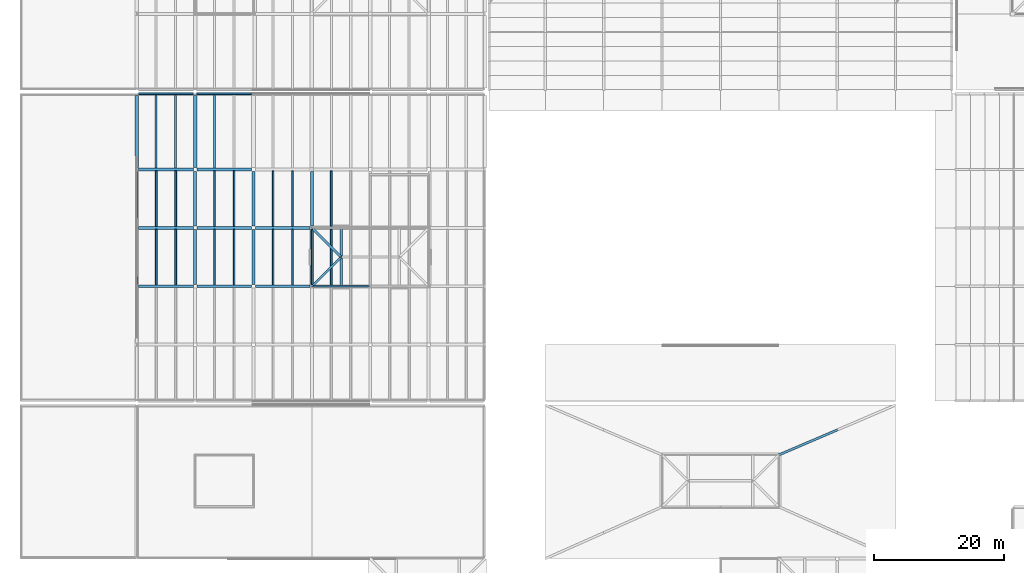
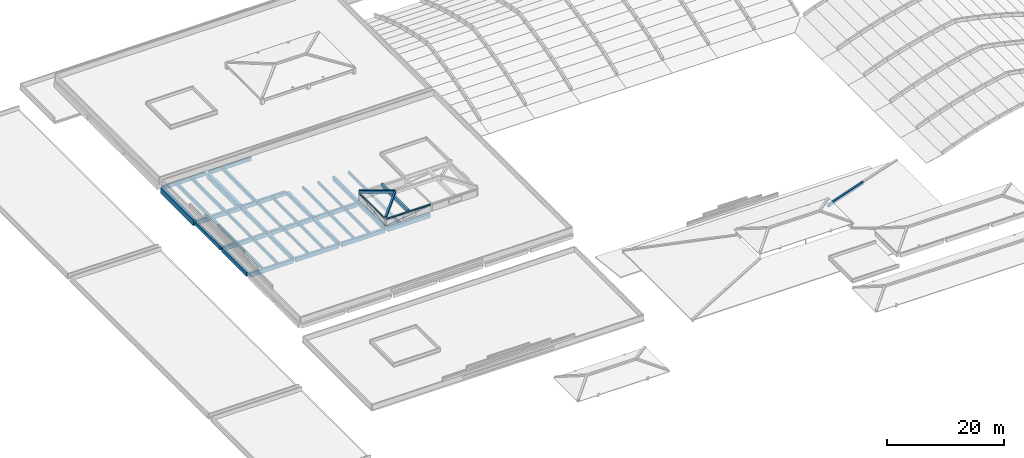
# One storey, part 14 of 56: 44 beams, 2 members.
"""IFC4 building model written with IfcOpenShell, lengths in metres."""

from ifc_helpers import new_model, si_unit, direction, frame, origin, origin_2d, place, context, subcontext, project, spatial, rectangle, hollow_rectangle, i_section, extrude, material, material_profile, profile_set, type_object, element, save


model = new_model("IFC4")

# Units and contexts
model_context = context("Model", 3, precision=1e-05, world=origin(), true_north=direction((0.0, 1.0)))
body_context = subcontext(model_context, "Body", "Model", "MODEL_VIEW")
ifc_project = project(units=[si_unit("LENGTHUNIT", "METRE"), si_unit("AREAUNIT", "SQUARE_METRE"), si_unit("VOLUMEUNIT", "CUBIC_METRE"), si_unit("PLANEANGLEUNIT", "RADIAN"), si_unit("MASSUNIT", "GRAM", prefix="KILO")], contexts=[model_context])

# Site, building, storey
site_placement = place(None, origin())
site = spatial("IfcSite", under=ifc_project, at=site_placement, CompositionType="ELEMENT")
building_placement = place(site_placement, origin())
building = spatial("IfcBuilding", under=site, at=building_placement, Name="Zacnel Wholesale Market", CompositionType="ELEMENT")
storey_placement = place(building_placement, frame((0.0, 0.0, 20.300048828125)))
storey = spatial("IfcBuildingStorey", under=building, at=storey_placement, Name="RF", CompositionType="ELEMENT", Elevation=20.300048828125)

# Beams
ifc_material_1 = material(Name="Concrete C40/50", Category="concrete")
ifc_material_profile_1 = material_profile(ifc_material_1, rectangle(XDim=0.35009765625, YDim=0.60009765625, at=origin_2d()), Name="ARCH RIB 350x600")
ifc_profile_set_1 = profile_set([ifc_material_profile_1], Name="Concrete C40/50")
beam_type_1 = type_object("IfcBeamType", Name="BM-AR600", PredefinedType="USERDEFINED", material=ifc_profile_set_1)
beam_1_placement = place(storey_placement, frame((126.0, 43.85009765625, -5.920166015625), z_axis=(-0.91657402276, -0.39209994409, 0.078419988818), x_axis=(0.393311180978, -0.919405413796, 0.0)))
element("IfcBeam", 1, at=beam_1_placement, inside=storey, type_object=beam_type_1, Name="Auction pavilion hip rib 3-2", ObjectType="ARCH RIB", PredefinedType="USERDEFINED", context=body_context, shape_type="SweptSolid", body=[
    extrude(rectangle(XDim=0.35009765625, YDim=0.60009765625, at=origin_2d()), origin(), (0.0, 0.0, 1.0), 9.819091796875),
])
for number, where, z_axis, x_axis, name in (
    (2, (45.0, 66.0, 1.780029296875), (0.696777465186, 0.696777465186, 0.170300698821), (-0.707106781187, 0.707106781187, 0.0), "Hipped crown rib STR-ROOF-V3-PENT-1"),
    (3, (45.0, 75.0, 1.780029296875), (0.696777465186, -0.696777465186, 0.170300698821), (0.707106781187, 0.707106781187, 0.0), "Hipped crown rib STR-ROOF-V3-PENT-4"),
):
    element("IfcBeam", number, at=place(storey_placement, frame(where, z_axis=z_axis, x_axis=x_axis)), inside=storey, type_object=beam_type_1, Name=name, ObjectType="ARCH RIB", PredefinedType="USERDEFINED", context=body_context, shape_type="SweptSolid", body=[
        extrude(rectangle(XDim=0.35009765625, YDim=0.60009765625, at=origin_2d()), origin(), (0.0, 0.0, 1.0), 6.458251953125),
    ])
ifc_material_2 = material(Name="Precast concrete C45/55", Category="concrete")
ifc_material_profile_2 = material_profile(ifc_material_2, rectangle(XDim=0.280029296875, YDim=0.60009765625, at=origin_2d()), Name="DT RIB 280x600")
ifc_profile_set_2 = profile_set([ifc_material_profile_2], Name="Precast concrete C45/55")
beam_type_2 = type_object("IfcBeamType", Name="BM-DT600", PredefinedType="JOIST", material=ifc_profile_set_2)
for number, where, z_axis, x_axis, name in (
    (4, (21.0, 66.22509765625, -0.60009765625), (0.0, 1.0, 0.0), (-1.0, 0.0, 0.0), "Precast secondary joist RF-0869"),
    (5, (24.0, 66.22509765625, -0.60009765625), (0.0, 1.0, 0.0), (-1.0, 0.0, 0.0), "Precast secondary joist RF-0870"),
    (6, (30.0, 66.22509765625, -0.60009765625), (0.0, 1.0, 0.0), (-1.0, 0.0, 0.0), "Precast secondary joist RF-0871"),
    (7, (33.0, 66.22509765625, -0.60009765625), (0.0, 1.0, 0.0), (-1.0, 0.0, 0.0), "Precast secondary joist RF-0872"),
    (8, (39.0, 66.22509765625, -0.60009765625), (0.0, 1.0, 0.0), (-1.0, 0.0, 0.0), "Precast secondary joist RF-0873"),
    (9, (42.0, 66.22509765625, -0.60009765625), (0.0, 1.0, 0.0), (-1.0, 0.0, 0.0), "Precast secondary joist RF-0874"),
    (10, (48.0, 66.22509765625, -0.60009765625), (0.0, 1.0, 0.0), (-1.0, 0.0, 0.0), "Precast secondary joist RF-0875"),
    (11, (21.0, 75.22509765625, -0.60009765625), (0.0, 1.0, 0.0), (-1.0, 0.0, 0.0), "Precast secondary joist RF-0889"),
    (12, (24.0, 75.22509765625, -0.60009765625), (0.0, 1.0, 0.0), (-1.0, 0.0, 0.0), "Precast secondary joist RF-0890"),
    (13, (30.0, 75.22509765625, -0.60009765625), (0.0, 1.0, 0.0), (-1.0, 0.0, 0.0), "Precast secondary joist RF-0891"),
    (14, (33.0, 75.22509765625, -0.60009765625), (0.0, 1.0, 0.0), (-1.0, 0.0, 0.0), "Precast secondary joist RF-0892"),
    (15, (39.0, 75.22509765625, -0.60009765625), (0.0, 1.0, 0.0), (-1.0, 0.0, 0.0), "Precast secondary joist RF-0893"),
    (16, (42.0, 75.22509765625, -0.60009765625), (0.0, 1.0, 0.0), (-1.0, 0.0, 0.0), "Precast secondary joist RF-0894"),
    (17, (48.0, 75.22509765625, -0.60009765625), (0.0, 1.0, 0.0), (-1.0, 0.0, 0.0), "Precast secondary joist RF-0895"),
):
    element("IfcBeam", number, at=place(storey_placement, frame(where, z_axis=z_axis, x_axis=x_axis)), inside=storey, type_object=beam_type_2, Name=name, PredefinedType="JOIST", context=body_context, shape_type="SweptSolid", body=[
        extrude(rectangle(XDim=0.280029296875, YDim=0.60009765625, at=origin_2d()), origin(), (0.0, 0.0, 1.0), 8.5498046875),
    ])
ifc_material_3 = material(Name="Precast concrete C45/55", Category="concrete")
ifc_material_profile_3 = material_profile(ifc_material_3, rectangle(XDim=0.320068359375, YDim=0.75, at=origin_2d()), Name="DT RIB 320x750")
ifc_profile_set_3 = profile_set([ifc_material_profile_3], Name="Precast concrete C45/55")
beam_type_3 = type_object("IfcBeamType", Name="BM-DT750", PredefinedType="JOIST", material=ifc_profile_set_3)
for number, where, z_axis, x_axis, name in (
    (18, (21.0, 84.22509765625, -0.675048828125), (0.0, 1.0, 0.0), (-1.0, 0.0, 0.0), "Precast secondary joist RF-0909"),
    (19, (24.0, 84.22509765625, -0.675048828125), (0.0, 1.0, 0.0), (-1.0, 0.0, 0.0), "Precast secondary joist RF-0910"),
    (20, (30.0, 84.22509765625, -0.675048828125), (0.0, 1.0, 0.0), (-1.0, 0.0, 0.0), "Precast secondary joist RF-0911"),
):
    element("IfcBeam", number, at=place(storey_placement, frame(where, z_axis=z_axis, x_axis=x_axis)), inside=storey, type_object=beam_type_3, Name=name, PredefinedType="JOIST", context=body_context, shape_type="SweptSolid", body=[
        extrude(rectangle(XDim=0.320068359375, YDim=0.75, at=origin_2d()), origin(), (0.0, 0.0, 1.0), 11.324951171875),
    ])
ifc_material_4 = material(Name="Precast concrete C45/55", Category="concrete")
ifc_material_profile_4 = material_profile(ifc_material_4, rectangle(XDim=0.550048828125, YDim=1.14990234375, at=origin_2d()), Name="PG 550x1150")
ifc_profile_set_4 = profile_set([ifc_material_profile_4], Name="Precast concrete C45/55")
beam_type_4 = type_object("IfcBeamType", Name="BM-PG1150", PredefinedType="T_BEAM", material=ifc_profile_set_4)
for number, where, z_axis, x_axis, name in (
    (21, (18.0, 84.27490234375, -0.875), (0.0, 1.0, 0.0), (-1.0, 0.0, 0.0), "Precast girder Y-1442"),
    (22, (27.0, 84.27490234375, -0.875), (0.0, 1.0, 0.0), (-1.0, 0.0, 0.0), "Precast girder Y-1450"),
):
    element("IfcBeam", number, at=place(storey_placement, frame(where, z_axis=z_axis, x_axis=x_axis)), inside=storey, type_object=beam_type_4, Name=name, PredefinedType="T_BEAM", context=body_context, shape_type="SweptSolid", body=[
        extrude(rectangle(XDim=0.550048828125, YDim=1.14990234375, at=origin_2d()), origin(), (0.0, 0.0, 1.0), 11.150146484375),
    ])
ifc_material_5 = material(Name="Precast concrete C45/55", Category="concrete")
ifc_material_profile_5 = material_profile(ifc_material_5, rectangle(XDim=0.39990234375, YDim=0.699951171875, at=origin_2d()), Name="PG 400x700")
ifc_profile_set_5 = profile_set([ifc_material_profile_5], Name="Precast concrete C45/55")
beam_type_5 = type_object("IfcBeamType", Name="BM-PG700", PredefinedType="BEAM", material=ifc_profile_set_5)
beam_2_placement = place(storey_placement, frame((49.5, 66.0, 1.550048828125), z_axis=(0.0, 1.0, 0.0), x_axis=(-1.0, 0.0, 0.0)))
element("IfcBeam", 23, at=beam_2_placement, inside=storey, type_object=beam_type_5, Name="Hipped crown tie beam STR-ROOF-V3-PENT-1", PredefinedType="BEAM", context=body_context, shape_type="SweptSolid", body=[
    extrude(rectangle(XDim=0.39990234375, YDim=0.699951171875, at=origin_2d()), origin(), (0.0, 0.0, 1.0), 9.0),
])
ifc_material_6 = material(Name="Precast concrete C45/55", Category="concrete")
ifc_material_profile_6 = material_profile(ifc_material_6, rectangle(XDim=0.449951171875, YDim=0.800048828125, at=origin_2d()), Name="PG 450x800")
ifc_profile_set_6 = profile_set([ifc_material_profile_6], Name="Precast concrete C45/55")
beam_type_6 = type_object("IfcBeamType", Name="BM-PG800", PredefinedType="BEAM", material=ifc_profile_set_6)
for number, where, z_axis, x_axis, name in (
    (24, (18.0, 66.27490234375, -0.699951171875), (0.0, 1.0, 0.0), (-1.0, 0.0, 0.0), "Precast girder Y-1440"),
    (25, (18.0, 75.27490234375, -0.699951171875), (0.0, 1.0, 0.0), (-1.0, 0.0, 0.0), "Precast girder Y-1441"),
    (26, (27.0, 66.27490234375, -0.699951171875), (0.0, 1.0, 0.0), (-1.0, 0.0, 0.0), "Precast girder Y-1448"),
    (27, (27.0, 75.27490234375, -0.699951171875), (0.0, 1.0, 0.0), (-1.0, 0.0, 0.0), "Precast girder Y-1449"),
    (28, (36.0, 66.27490234375, -0.699951171875), (0.0, 1.0, 0.0), (-1.0, 0.0, 0.0), "Precast girder Y-1456"),
    (29, (36.0, 75.27490234375, -0.699951171875), (0.0, 1.0, 0.0), (-1.0, 0.0, 0.0), "Precast girder Y-1457"),
    (30, (45.0, 66.27490234375, -0.699951171875), (0.0, 1.0, 0.0), (-1.0, 0.0, 0.0), "Precast girder Y-1464"),
    (31, (45.0, 75.27490234375, -0.699951171875), (0.0, 1.0, 0.0), (-1.0, 0.0, 0.0), "Precast girder Y-1465"),
):
    element("IfcBeam", number, at=place(storey_placement, frame(where, z_axis=z_axis, x_axis=x_axis)), inside=storey, type_object=beam_type_6, Name=name, PredefinedType="BEAM", context=body_context, shape_type="SweptSolid", body=[
        extrude(rectangle(XDim=0.449951171875, YDim=0.800048828125, at=origin_2d()), origin(), (0.0, 0.0, 1.0), 8.4501953125),
    ])
ifc_material_7 = material(Name="Precast concrete C45/55", Category="concrete")
ifc_material_profile_7 = material_profile(ifc_material_7, rectangle(XDim=0.449951171875, YDim=0.85009765625, at=origin_2d()), Name="PG 450x850")
ifc_profile_set_7 = profile_set([ifc_material_profile_7], Name="Precast concrete C45/55")
beam_type_7 = type_object("IfcBeamType", Name="BM-PG850", PredefinedType="BEAM", material=ifc_profile_set_7)
for number, where, z_axis, x_axis, name in (
    (32, (18.27490234375, 66.0, -0.72509765625), (1.0, 0.0, 0.0), (0.0, 1.0, 0.0), "Precast girder X-1374"),
    (33, (27.27490234375, 66.0, -0.72509765625), (1.0, 0.0, 0.0), (0.0, 1.0, 0.0), "Precast girder X-1375"),
    (34, (36.27490234375, 66.0, -0.72509765625), (1.0, 0.0, 0.0), (0.0, 1.0, 0.0), "Precast girder X-1376"),
    (35, (45.27490234375, 66.0, -0.72509765625), (1.0, 0.0, 0.0), (0.0, 1.0, 0.0), "Precast girder X-1377"),
    (36, (18.27490234375, 75.0, -0.72509765625), (1.0, 0.0, 0.0), (0.0, 1.0, 0.0), "Precast girder X-1384"),
    (37, (27.27490234375, 75.0, -0.72509765625), (1.0, 0.0, 0.0), (0.0, 1.0, 0.0), "Precast girder X-1385"),
    (38, (36.27490234375, 75.0, -0.72509765625), (1.0, 0.0, 0.0), (0.0, 1.0, 0.0), "Precast girder X-1386"),
    (39, (18.27490234375, 84.0, -0.72509765625), (1.0, 0.0, 0.0), (0.0, 1.0, 0.0), "Precast girder X-1394"),
    (40, (27.27490234375, 84.0, -0.72509765625), (1.0, 0.0, 0.0), (0.0, 1.0, 0.0), "Precast girder X-1395"),
):
    element("IfcBeam", number, at=place(storey_placement, frame(where, z_axis=z_axis, x_axis=x_axis)), inside=storey, type_object=beam_type_7, Name=name, PredefinedType="BEAM", context=body_context, shape_type="SweptSolid", body=[
        extrude(rectangle(XDim=0.449951171875, YDim=0.85009765625, at=origin_2d()), origin(), (0.0, 0.0, 1.0), 8.4501953125),
    ])
ifc_material_8 = material(Name="Precast concrete C45/55", Category="concrete")
ifc_material_profile_8 = material_profile(ifc_material_8, rectangle(XDim=0.300048828125, YDim=0.75, at=origin_2d()), Name="SP 300x750")
ifc_profile_set_8 = profile_set([ifc_material_profile_8], Name="Precast concrete C45/55")
beam_type_8 = type_object("IfcBeamType", Name="BM-SP750", PredefinedType="SPANDREL", material=ifc_profile_set_8)
for number, where, z_axis, x_axis, name in (
    (41, (18.27490234375, 95.699951171875, -0.675048828125), (1.0, 0.0, 0.0), (0.0, 1.0, 0.0), "Precast girder X-1404"),
    (42, (27.27490234375, 95.699951171875, -0.675048828125), (1.0, 0.0, 0.0), (0.0, 1.0, 0.0), "Precast girder X-1405"),
):
    element("IfcBeam", number, at=place(storey_placement, frame(where, z_axis=z_axis, x_axis=x_axis)), inside=storey, type_object=beam_type_8, Name=name, PredefinedType="SPANDREL", context=body_context, shape_type="SweptSolid", body=[
        extrude(rectangle(XDim=0.300048828125, YDim=0.75, at=origin_2d()), origin(), (0.0, 0.0, 1.0), 8.4501953125),
    ])
ifc_material_9 = material(Name="Steel S355", Category="steel")
ifc_material_profile_9 = material_profile(ifc_material_9, i_section(OverallWidth=0.166015625, OverallDepth=0.31298828125, WebThickness=0.006591796875, FlangeThickness=0.01123046875, FilletRadius=0.010009765625, at=origin_2d()), Name="W310X44.5")
ifc_profile_set_9 = profile_set([ifc_material_profile_9], Name="Steel S355")
beam_type_9 = type_object("IfcBeamType", Name="BM-STL-W310", PredefinedType="BEAM", material=ifc_profile_set_9)
for number, where, z_axis, x_axis, name in (
    (43, (45.090087890625, 66.0, 1.4599609375), (1.0, 0.0, 0.0), (0.0, 1.0, 0.0), "Refrigeration penthouse beam 01"),
    (44, (45.0, 66.090087890625, 1.4599609375), (0.0, 1.0, 0.0), (-1.0, 0.0, 0.0), "Refrigeration penthouse beam 05"),
):
    element("IfcBeam", number, at=place(storey_placement, frame(where, z_axis=z_axis, x_axis=x_axis)), inside=storey, type_object=beam_type_9, Name=name, PredefinedType="BEAM", context=body_context, shape_type="SweptSolid", body=[
        extrude(i_section(OverallWidth=0.166015625, OverallDepth=0.31298828125, WebThickness=0.006591796875, FlangeThickness=0.01123046875, FilletRadius=0.010009765625, at=origin_2d()), origin(), (0.0, 0.0, 1.0), 8.81982421875),
    ])

# Members
ifc_material_10 = material(Name="Steel S355", Category="steel")
ifc_material_profile_10 = material_profile(ifc_material_10, hollow_rectangle(XDim=0.1201171875, YDim=0.179931640625, WallThickness=0.008056640625, InnerFilletRadius=0.008056640625, OuterFilletRadius=0.01611328125, at=origin_2d()), Name="HSS 180x120x8")
ifc_profile_set_10 = profile_set([ifc_material_profile_10], Name="Steel S355")
member_type = type_object("IfcMemberType", Name="MEM-STR-HSS180", PredefinedType="STRUT", material=ifc_profile_set_10)
for number, where, z_axis, x_axis, name in (
    (45, (45.10009765625, 66.0, 0.079833984375), (0.990826822178, 0.0, 0.135137738814), (0.0, 1.0, 0.0), "Refrigeration penthouse brace 01"),
    (46, (45.0, 66.10009765625, 0.079833984375), (0.0, 0.990826822178, 0.135137738814), (-1.0, 0.0, 0.0), "Refrigeration penthouse brace 03"),
):
    element("IfcMember", number, at=place(storey_placement, frame(where, z_axis=z_axis, x_axis=x_axis)), inside=storey, type_object=member_type, Name=name, PredefinedType="STRUT", context=body_context, shape_type="SweptSolid", body=[
        extrude(hollow_rectangle(XDim=0.1201171875, YDim=0.179931640625, WallThickness=0.008056640625, InnerFilletRadius=0.008056640625, OuterFilletRadius=0.01611328125, at=origin_2d()), origin(), (0.0, 0.0, 1.0), 8.88134765625),
    ])

save(model, "model.ifc")
